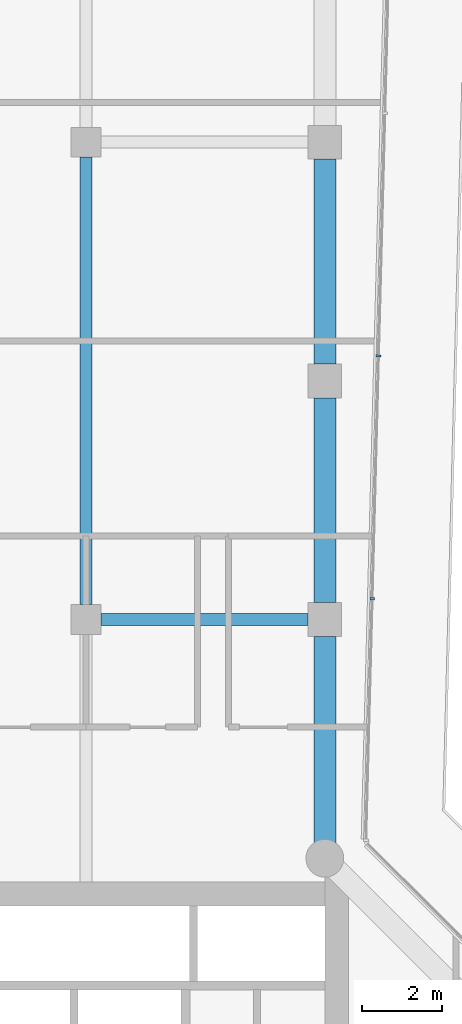
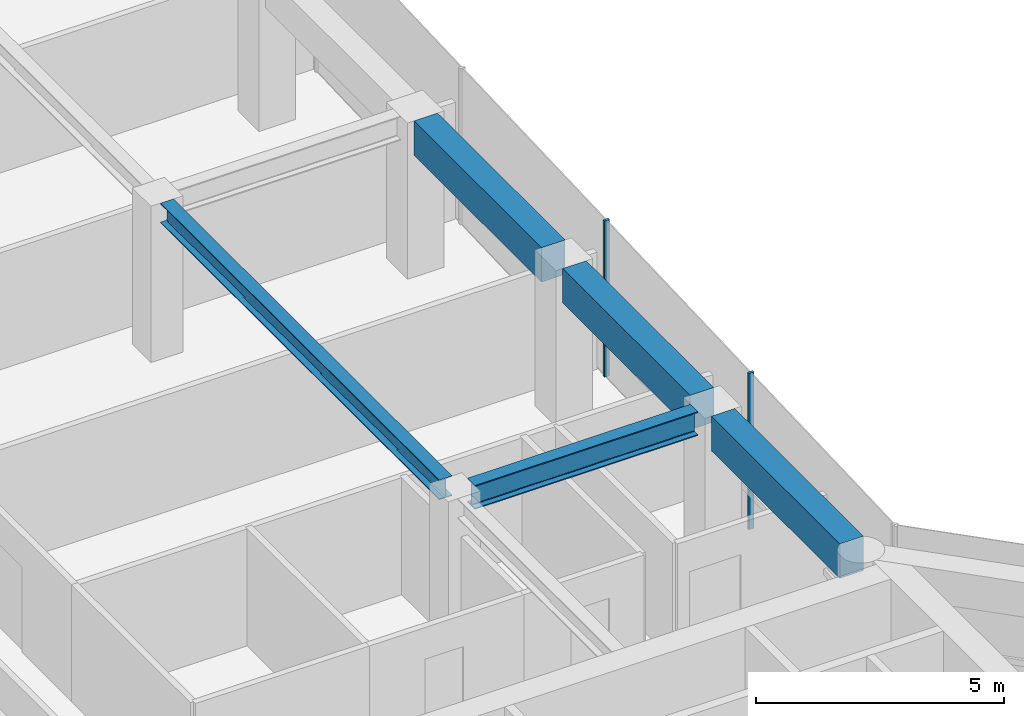
# One storey, part 8 of 19: 5 beams, 2 members, 1 element without a shape of its own.
"""IFC4 building model written with IfcOpenShell, lengths in metres."""

import ifcopenshell
import ifcopenshell.guid

model = None  # the IFC model being written
_history = None  # IfcOwnerHistory: only IFC2X3 demands one
_inside = {}  # id of a spatial element -> (the spatial element, [elements in it])
_under = {}  # id of a project, library or spatial element -> (it, [spatial elements below it])
_declared = {}  # id of a project -> (the project, [libraries it declares])
_typed = {}  # id of a type object -> (the type object, [elements of that type])
_made_of = {}  # id of a material, layer set ... -> (it, [elements and type objects made of it])


def new_model(schema):
    """Start an empty IFC model of exactly this schema.

    Asked for "IFC4X3", IfcOpenShell would pick the latest addendum, in which some entities
    have other attributes; the version numbers below select the first issue.
    IFC2X3 requires an IfcOwnerHistory on every rooted entity: one is made here for all.
    """
    global model, _history
    if schema == "IFC4X3":
        model = ifcopenshell.file(schema_version=(4, 3, 0, 0))
    else:
        model = ifcopenshell.file(schema=schema)
    _inside.clear()
    _under.clear()
    _declared.clear()
    _typed.clear()
    _made_of.clear()
    _history = None
    if model.schema == "IFC2X3":
        org = make("IfcOrganization", Name="unknown")
        user = make(
            "IfcPersonAndOrganization",
            ThePerson=make("IfcPerson", FamilyName="unknown"),
            TheOrganization=org,
        )
        app = make(
            "IfcApplication",
            ApplicationDeveloper=org,
            Version="unknown",
            ApplicationFullName="unknown",
            ApplicationIdentifier="unknown",
        )
        _history = make(
            "IfcOwnerHistory",
            OwningUser=user,
            OwningApplication=app,
            ChangeAction="ADDED",
            CreationDate=0,
        )
    return model


def make(cls, **values):
    """One entity of the class cls with the attributes given. An attribute that is None is left unset."""
    return model.create_entity(
        cls, **{name: value for name, value in values.items() if value is not None}
    )


def rooted(cls, **values):
    """An entity with a GlobalId (a new one), such as an element, a storey or a relation."""
    return make(cls, GlobalId=ifcopenshell.guid.new(), OwnerHistory=_history, **values)


def si_unit(unit_type, name, prefix=None):
    """IfcSIUnit, for example si_unit("LENGTHUNIT", "METRE", prefix="MILLI")."""
    return make("IfcSIUnit", UnitType=unit_type, Prefix=prefix, Name=name)


def assignment(units):
    """IfcUnitAssignment: the units of a project."""
    return None if units is None else make("IfcUnitAssignment", Units=units)


def point(xyz):
    """IfcCartesianPoint."""
    return None if xyz is None else make("IfcCartesianPoint", Coordinates=xyz)


def direction(xyz):
    """IfcDirection."""
    return None if xyz is None else make("IfcDirection", DirectionRatios=xyz)


def frame(location, z_axis=None, x_axis=None):
    """IfcAxis2Placement3D, a coordinate frame: its origin and axes. An axis left out is left unset."""
    return make(
        "IfcAxis2Placement3D",
        Location=point(location),
        Axis=direction(z_axis),
        RefDirection=direction(x_axis),
    )


def frame_2d(location, x_axis=None):
    """IfcAxis2Placement2D, a coordinate frame in the plane: its origin and x axis."""
    return make(
        "IfcAxis2Placement2D", Location=point(location), RefDirection=direction(x_axis)
    )


def origin():
    """The frame at (0, 0, 0) with its axes left unset."""
    return frame((0.0, 0.0, 0.0))


def origin_2d():
    """The frame at (0, 0) in the plane with its x axis left unset."""
    return frame_2d((0.0, 0.0))


def place(relative_to, where):
    """IfcLocalPlacement: puts the frame where relative to a parent placement (None: the world)."""
    return make(
        "IfcLocalPlacement", PlacementRelTo=relative_to, RelativePlacement=where
    )


def context(
    kind, dimensions, precision=None, world=None, true_north=None, identifier=None
):
    """IfcGeometricRepresentationContext, for example the 3D "Model" context."""
    return make(
        "IfcGeometricRepresentationContext",
        ContextIdentifier=identifier,
        ContextType=kind,
        CoordinateSpaceDimension=dimensions,
        Precision=precision,
        WorldCoordinateSystem=world,
        TrueNorth=true_north,
    )


def subcontext(parent, identifier, kind, view, scale=None):
    """IfcGeometricRepresentationSubContext, for example "Body" below "Model"."""
    return make(
        "IfcGeometricRepresentationSubContext",
        ContextIdentifier=identifier,
        ContextType=kind,
        ParentContext=parent,
        TargetScale=scale,
        TargetView=view,
    )


def project(units=None, contexts=None):
    """IfcProject with its units and contexts."""
    return rooted(
        "IfcProject",
        Name="project",
        RepresentationContexts=contexts,
        UnitsInContext=assignment(units),
    )


def spatial(cls, under=None, at=None, **own):
    """A site, building, storey or space (cls), placed at a placement, below another one or the project."""
    s = rooted(cls, ObjectPlacement=at, **own)
    if under is not None:
        _under.setdefault(under.id(), (under, []))[1].append(s)
    return s


def profile(cls, at=None, kind="AREA", **sizes):
    """A parametric profile (cls). Its sizes go by their IFC names, for example OverallWidth=200.0."""
    return make(cls, ProfileType=kind, Position=at, **sizes)


def rectangle(**sizes):
    """IfcRectangleProfileDef."""
    return profile("IfcRectangleProfileDef", **sizes)


def i_section(**sizes):
    """IfcIShapeProfileDef."""
    return profile("IfcIShapeProfileDef", **sizes)


def extrude(swept, where, along, depth):
    """IfcExtrudedAreaSolid: the profile swept, set in the frame where, extruded along a direction by depth."""
    return make(
        "IfcExtrudedAreaSolid",
        SweptArea=swept,
        Position=where,
        ExtrudedDirection=direction(along),
        Depth=depth,
    )


def shape(context_of_items, identifier, shape_type, items):
    """IfcShapeRepresentation: the items that make up one representation, for example the "Body"."""
    return make(
        "IfcShapeRepresentation",
        ContextOfItems=context_of_items,
        RepresentationIdentifier=identifier,
        RepresentationType=shape_type,
        Items=items,
    )


def material(Name=None, Category=None):
    """IfcMaterial."""
    return make("IfcMaterial", Name=Name, Category=Category)


def layer(
    of_material, thickness, ventilated=None, Name=None, Category=None, Priority=None
):
    """IfcMaterialLayer: one layer of a wall or slab, of a material (None: an air gap)."""
    return make(
        "IfcMaterialLayer",
        Material=of_material,
        LayerThickness=thickness,
        IsVentilated=ventilated,
        Name=Name,
        Category=Category,
        Priority=Priority,
    )


def layer_set(layers, Name=None):
    """IfcMaterialLayerSet."""
    return make("IfcMaterialLayerSet", MaterialLayers=layers, LayerSetName=Name)


def material_profile(
    of_material, cross_section, Name=None, Category=None, Priority=None
):
    """IfcMaterialProfile: a cross section and its material."""
    return make(
        "IfcMaterialProfile",
        Name=Name,
        Material=of_material,
        Profile=cross_section,
        Priority=Priority,
        Category=Category,
    )


def profile_set(profiles, Name=None, composite=None):
    """IfcMaterialProfileSet."""
    return make(
        "IfcMaterialProfileSet",
        Name=Name,
        MaterialProfiles=profiles,
        CompositeProfile=composite,
    )


def made_of(thing, what):
    """Note that an element or type object is made of a material, layer set ...; save() writes the relation."""
    if what is not None:
        _made_of.setdefault(what.id(), (what, []))[1].append(thing)
    return thing


def type_object(cls, material=None, **own):
    """A type object (cls), such as IfcWallType, which elements share."""
    return made_of(rooted(cls, **own), material)


def element(
    cls,
    number,
    at=None,
    inside=None,
    cuts=None,
    type_object=None,
    material=None,
    context=None,
    identifier="Body",
    shape_type=None,
    held_by="IfcProductDefinitionShape",
    body=None,
    shapes=None,
    **own,
):
    """One element of the class cls, such as IfcWall. Its Tag is "e" and its number.

    at: its placement. inside: the storey or other place that contains it. cuts: it is an
    opening in that element (IfcRelVoidsElement). A single representation is given by context,
    identifier, shape_type and body (its items); several are given by shapes. held_by: the class
    of the entity that holds the representations. save() writes the other relations.
    """
    e = rooted(cls, Tag="e%d" % number, ObjectPlacement=at, **own)
    if body is not None:
        shapes = [shape(context, identifier, shape_type, body)]
    if shapes is not None:
        e.Representation = make(held_by, Representations=shapes)
    if inside is not None:
        _inside.setdefault(inside.id(), (inside, []))[1].append(e)
    if cuts is not None:
        rooted(
            "IfcRelVoidsElement", RelatingBuildingElement=cuts, RelatedOpeningElement=e
        )
    if type_object is not None:
        _typed.setdefault(type_object.id(), (type_object, []))[1].append(e)
    return made_of(e, material)


def aggregate(whole, parts):
    """IfcRelAggregates: a whole, such as a stair, and the parts it consists of."""
    return rooted("IfcRelAggregates", RelatingObject=whole, RelatedObjects=parts)


def save(model, path):
    """Write the relations noted so far, then the file.

    IfcRelAggregates (storeys below a building ...), IfcRelContainedInSpatialStructure (elements
    in a storey), IfcRelDefinesByType, IfcRelAssociatesMaterial and IfcRelDeclares: one each for
    every whole, place, type object, material and project.
    """
    for whole, parts in _under.values():
        aggregate(whole, parts)
    for where, things in _inside.values():
        rooted(
            "IfcRelContainedInSpatialStructure",
            RelatedElements=things,
            RelatingStructure=where,
        )
    for kind, things in _typed.values():
        rooted("IfcRelDefinesByType", RelatedObjects=things, RelatingType=kind)
    for what, things in _made_of.values():
        rooted("IfcRelAssociatesMaterial", RelatedObjects=things, RelatingMaterial=what)
    for by, libraries in _declared.values():
        rooted("IfcRelDeclares", RelatingContext=by, RelatedDefinitions=libraries)
    model.write(path)


model = new_model("IFC4")

# Units and contexts
model_context = context("Model", 3, precision=1e-05, world=origin(), true_north=direction((0.0, 1.0)))
body_context = subcontext(model_context, "Body", "Model", "MODEL_VIEW")
ifc_project = project(units=[si_unit("LENGTHUNIT", "METRE"), si_unit("AREAUNIT", "SQUARE_METRE"), si_unit("VOLUMEUNIT", "CUBIC_METRE"), si_unit("PLANEANGLEUNIT", "RADIAN"), si_unit("MASSUNIT", "GRAM", prefix="KILO")], contexts=[model_context])

# Site, building, storey
site_placement = place(None, origin())
site = spatial("IfcSite", under=ifc_project, at=site_placement, CompositionType="ELEMENT")
building_placement = place(site_placement, origin())
building = spatial("IfcBuilding", under=site, at=building_placement, Name="Welwitschia Terrace Campus", CompositionType="ELEMENT")
storey_placement = place(building_placement, frame((0.0, 0.0, 163.39990234375)))
storey = spatial("IfcBuildingStorey", under=building, at=storey_placement, Name="L36", CompositionType="ELEMENT", Elevation=163.39990234375)

# Beam
ifc_material_1 = material(Name="Steel S355", Category="steel")
ifc_material_profile_1 = material_profile(ifc_material_1, i_section(OverallWidth=0.300048828125, OverallDepth=0.489990234375, WebThickness=0.011962890625, FlangeThickness=0.02294921875, FilletRadius=0.027099609375, at=origin_2d()))
ifc_profile_set_1 = profile_set([ifc_material_profile_1], Name="Steel S355")
beam_type_1 = type_object("IfcBeamType", Name="Interior girder HE 500 A", PredefinedType="BEAM", material=ifc_profile_set_1)
beam_1_placement = place(storey_placement, frame((18.0, 32.37548828125, 3.60498046875), z_axis=(0.0, 1.0, 0.0), x_axis=(-1.0, 0.0, 0.0)))
element("IfcBeam", 1, at=beam_1_placement, inside=storey, type_object=beam_type_1, Name="Girder GB4", PredefinedType="BEAM", context=body_context, shape_type="SweptSolid", body=[
    extrude(i_section(OverallWidth=0.300048828125, OverallDepth=0.489990234375, WebThickness=0.011962890625, FlangeThickness=0.02294921875, FilletRadius=0.027099609375, at=origin_2d()), origin(), (0.0, 0.0, 1.0), 11.2490234375),
])

# Curtain wall, members
ifc_material_2 = material(Name="Bronze anodised aluminium", Category="aluminium")
ifc_layer = layer(ifc_material_2, 0.1201171875)
ifc_layer_set = layer_set([ifc_layer], Name="Bronze anodised aluminium")
curtain_wall_type = type_object("IfcCurtainWallType", Name="Curtain wall CW2 tower 6000", PredefinedType="NOTDEFINED", material=ifc_layer_set)
curtain_wall_placement = place(storey_placement, origin())
curtain_wall = element("IfcCurtainWall", 2, at=curtain_wall_placement, inside=storey, type_object=curtain_wall_type, Name="CW L36.10.0", PredefinedType="NOTDEFINED")
ifc_material_3 = material(Name="Bronze anodised aluminium", Category="aluminium")
ifc_material_profile_2 = material_profile(ifc_material_3, rectangle(XDim=0.1201171875, YDim=0.06005859375, at=origin_2d()))
ifc_profile_set_2 = profile_set([ifc_material_profile_2], Name="Bronze anodised aluminium")
member_type = type_object("IfcMemberType", Name="Mullion 60x120", PredefinedType="MULLION", material=ifc_profile_set_2)
member_1_placement = place(storey_placement, frame((25.19140625, 32.52587890625, 0.0), z_axis=(0.0, 0.0, 1.0), x_axis=(-0.999657324976, 0.026176948308, 0.0)))
member_1 = element("IfcMember", 3, at=member_1_placement, type_object=member_type, Name="Mullion L36.10.0.1", PredefinedType="MULLION", context=body_context, shape_type="SweptSolid", body=[
    extrude(rectangle(XDim=0.1201171875, YDim=0.06005859375, at=origin_2d()), origin(), (0.0, 0.0, 1.0), 3.85009765625),
])
member_2_placement = place(storey_placement, frame((25.351318359375, 38.626708984375, 0.0), z_axis=(0.0, 0.0, 1.0), x_axis=(-0.999657324976, 0.026176948308, 0.0)))
member_2 = element("IfcMember", 4, at=member_2_placement, type_object=member_type, Name="Mullion L36.10.0.2", PredefinedType="MULLION", context=body_context, shape_type="SweptSolid", body=[
    extrude(rectangle(XDim=0.1201171875, YDim=0.06005859375, at=origin_2d()), origin(), (0.0, 0.0, 1.0), 3.85009765625),
])
aggregate(curtain_wall, [member_1, member_2])

# Beams
ifc_material_4 = material(Name="Steel S355", Category="steel")
ifc_material_profile_3 = material_profile(ifc_material_4, i_section(OverallWidth=0.300048828125, OverallDepth=0.590087890625, WebThickness=0.012939453125, FlangeThickness=0.02490234375, FilletRadius=0.027099609375, at=origin_2d()))
ifc_profile_set_3 = profile_set([ifc_material_profile_3], Name="Steel S355")
beam_type_2 = type_object("IfcBeamType", Name="Primary beam HE 600 A", PredefinedType="BEAM", material=ifc_profile_set_3)
beam_2_placement = place(storey_placement, frame((23.574462890625, 32.0, 3.55517578125), z_axis=(-1.0, 0.0, 0.0), x_axis=(0.0, -1.0, 0.0)))
element("IfcBeam", 5, at=beam_2_placement, inside=storey, type_object=beam_type_2, Name="Primary beam PB4", PredefinedType="BEAM", context=body_context, shape_type="SweptSolid", body=[
    extrude(i_section(OverallWidth=0.300048828125, OverallDepth=0.590087890625, WebThickness=0.012939453125, FlangeThickness=0.02490234375, FilletRadius=0.027099609375, at=origin_2d()), origin(), (0.0, 0.0, 1.0), 5.198974609375),
])
ifc_material_5 = material(Name="Concrete C50/60", Category="concrete")
ifc_material_profile_4 = material_profile(ifc_material_5, rectangle(XDim=0.550048828125, YDim=0.85009765625, at=origin_2d()))
ifc_profile_set_4 = profile_set([ifc_material_profile_4], Name="Concrete C50/60")
beam_type_3 = type_object("IfcBeamType", Name="Ring spandrel 550x850", PredefinedType="SPANDREL", material=ifc_profile_set_4)
beam_3_placement = place(storey_placement, frame((24.0, 26.387939453125, 3.425048828125), z_axis=(0.0, 1.0, 0.0), x_axis=(-1.0, 0.0, 0.0)))
element("IfcBeam", 6, at=beam_3_placement, inside=storey, type_object=beam_type_3, Name="Spandrel SP3", PredefinedType="SPANDREL", context=body_context, shape_type="SweptSolid", body=[
    extrude(rectangle(XDim=0.550048828125, YDim=0.85009765625, at=origin_2d()), origin(), (0.0, 0.0, 1.0), 5.1865234375),
])
for number, where, z_axis, x_axis, name in (
    (7, (24.0, 32.425537109375, 3.425048828125), (0.0, 1.0, 0.0), (-1.0, 0.0, 0.0), "Spandrel SP3"),
    (8, (24.0, 38.425537109375, 3.425048828125), (0.0, 1.0, 0.0), (-1.0, 0.0, 0.0), "Spandrel SP3"),
):
    element("IfcBeam", number, at=place(storey_placement, frame(where, z_axis=z_axis, x_axis=x_axis)), inside=storey, type_object=beam_type_3, Name=name, PredefinedType="SPANDREL", context=body_context, shape_type="SweptSolid", body=[
        extrude(rectangle(XDim=0.550048828125, YDim=0.85009765625, at=origin_2d()), origin(), (0.0, 0.0, 1.0), 5.14892578125),
    ])

save(model, "model.ifc")
